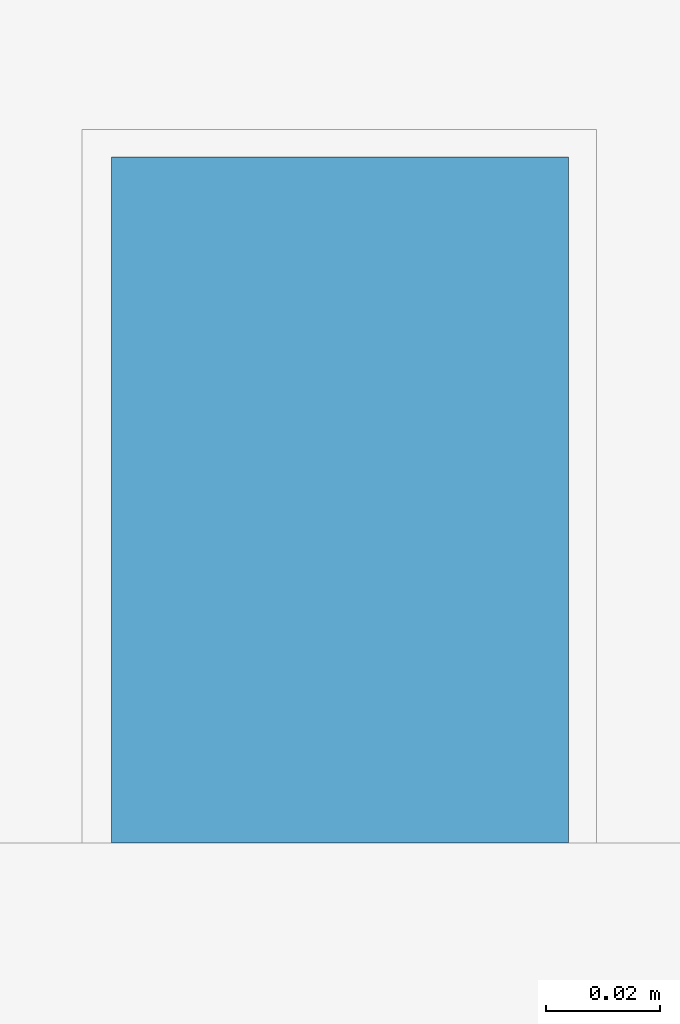
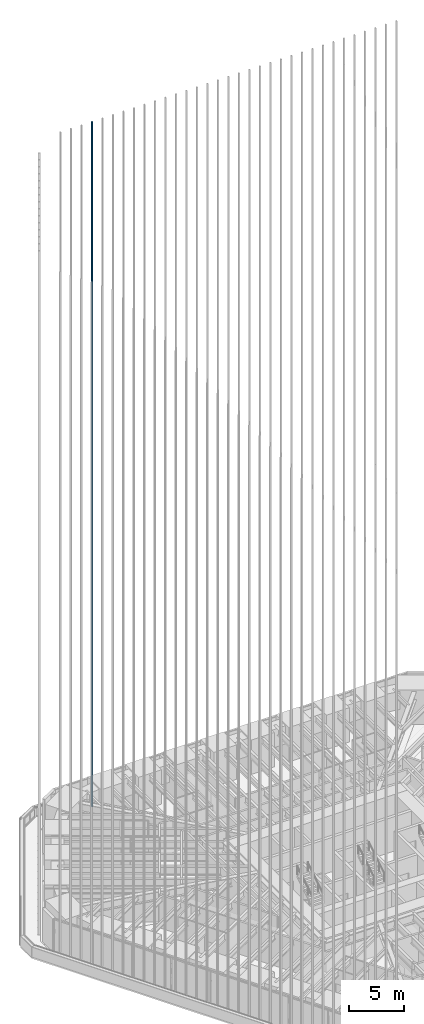
# One storey, part 154 of 238: 1 member, 1 element without a shape of its own.
"""IFC4 building model written with IfcOpenShell, lengths in metres."""

from ifc_helpers import new_model, si_unit, direction, frame, origin, origin_2d, place, context, subcontext, project, spatial, rectangle, extrude, material, material_profile, profile_set, type_object, element, aggregate, save


model = new_model("IFC4")

# Units and contexts
model_context = context("Model", 3, precision=1e-05, world=origin(), true_north=direction((0.0, 1.0)))
body_context = subcontext(model_context, "Body", "Model", "MODEL_VIEW")
ifc_project = project(units=[si_unit("LENGTHUNIT", "METRE"), si_unit("AREAUNIT", "SQUARE_METRE"), si_unit("VOLUMEUNIT", "CUBIC_METRE"), si_unit("PLANEANGLEUNIT", "RADIAN"), si_unit("MASSUNIT", "GRAM", prefix="KILO")], contexts=[model_context])

# Site, building, storey
site_placement = place(None, origin())
site = spatial("IfcSite", under=ifc_project, at=site_placement, CompositionType="ELEMENT")
building_placement = place(site_placement, origin())
building = spatial("IfcBuilding", under=site, at=building_placement, Name="Sandreach Pilgrim Tower", CompositionType="ELEMENT")
storey_placement = place(building_placement, frame((0.0, 0.0, 96.800048828125)))
storey = spatial("IfcBuildingStorey", under=building, at=storey_placement, Name="L23", CompositionType="ELEMENT", Elevation=96.800048828125)

# Curtain wall, member
ifc_material_1 = material(Name="Aluminium framed curtain wall", Category="aluminium")
curtain_wall_type = type_object("IfcCurtainWallType", Name="Hotel tower curtain wall", PredefinedType="NOTDEFINED", material=ifc_material_1)
curtain_wall_placement = place(storey_placement, origin())
curtain_wall = element("IfcCurtainWall", 1, at=curtain_wall_placement, inside=storey, type_object=curtain_wall_type, Name="CW-2 L23 N", PredefinedType="NOTDEFINED")
ifc_material_2 = material(Name="Extruded terracotta on aluminium core", Category="masonry")
ifc_material_profile = material_profile(ifc_material_2, rectangle(XDim=0.080078125, YDim=0.1201171875, at=origin_2d()), Name="TBN 80X120")
ifc_profile_set = profile_set([ifc_material_profile], Name="Extruded terracotta on aluminium core")
member_type = type_object("IfcMemberType", Name="Terracotta baguette north", PredefinedType="USERDEFINED", material=ifc_profile_set)
member_placement = place(storey_placement, frame((-14.291748046875, 22.853759765625, 0.0), z_axis=(0.0, 0.0, 1.0), x_axis=(1.0, 0.0, 0.0)))
member = element("IfcMember", 2, at=member_placement, type_object=member_type, Name="Baguette Z2 N04", ObjectType="BAGUETTE", PredefinedType="USERDEFINED", context=body_context, shape_type="SweptSolid", body=[
    extrude(rectangle(XDim=0.080078125, YDim=0.1201171875, at=origin_2d()), origin(), (0.0, 0.0, 1.0), 75.83984375),
])
aggregate(curtain_wall, [member])

save(model, "model.ifc")
